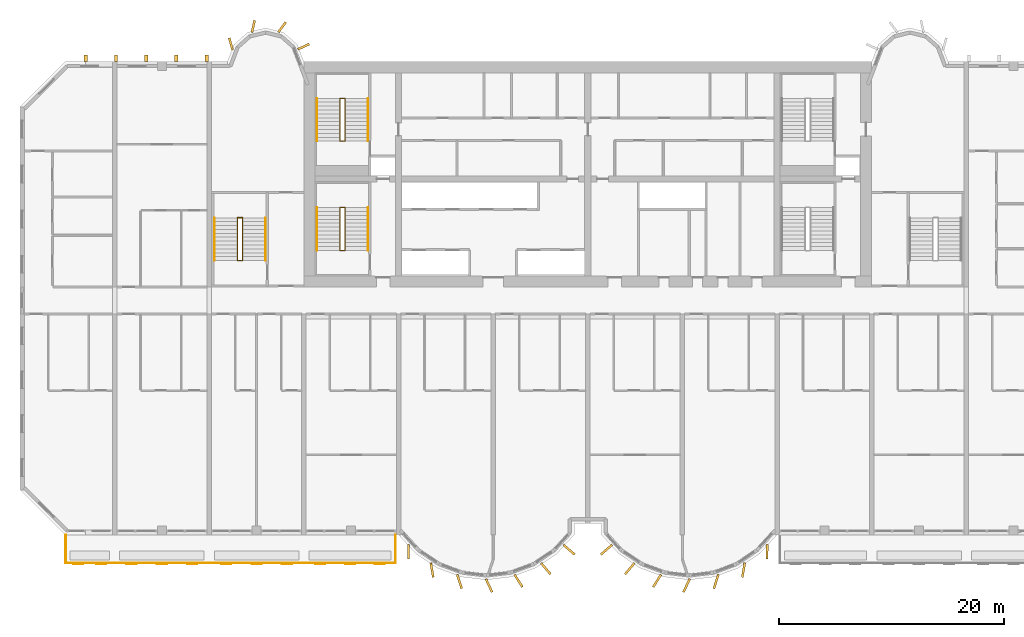
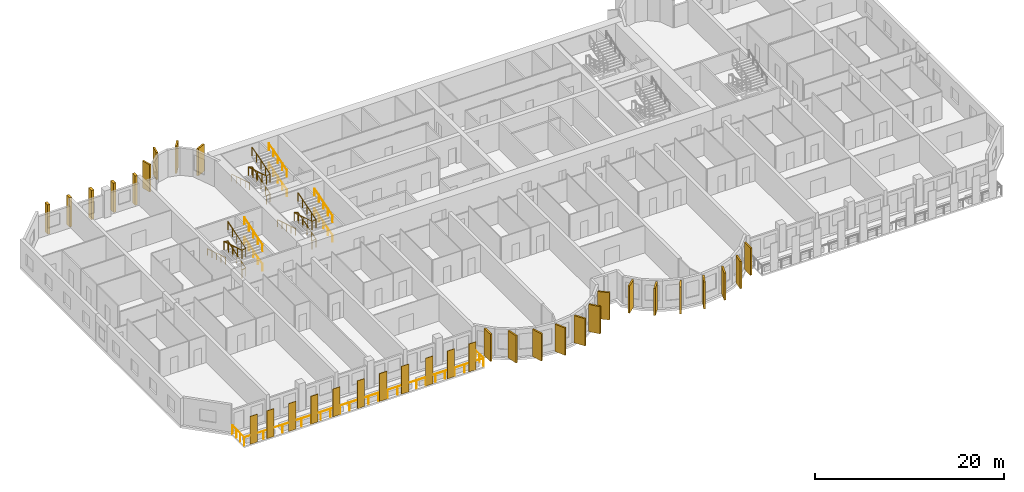
# One storey, part 13 of 15: 34 coverings, 13 railings.
"""IFC4 building model written with IfcOpenShell, lengths in metres."""

from ifc_helpers import new_model, si_unit, direction, frame, origin, origin_2d, place, context, subcontext, project, spatial, rectangle, circle, extrude, source, transform, mapped, material, layer, layer_set, material_profile, profile_set, type_object, element, save


model = new_model("IFC4")

# Units and contexts
model_context = context("Model", 3, precision=1e-05, world=origin(), true_north=direction((0.0, 1.0)))
body_context = subcontext(model_context, "Body", "Model", "MODEL_VIEW")
ifc_project = project(units=[si_unit("LENGTHUNIT", "METRE"), si_unit("AREAUNIT", "SQUARE_METRE"), si_unit("VOLUMEUNIT", "CUBIC_METRE"), si_unit("PLANEANGLEUNIT", "RADIAN"), si_unit("MASSUNIT", "GRAM", prefix="KILO")], contexts=[model_context])

# Site, building, storey
site_placement = place(None, origin())
site = spatial("IfcSite", under=ifc_project, at=site_placement, CompositionType="ELEMENT")
building_placement = place(site_placement, origin())
building = spatial("IfcBuilding", under=site, at=building_placement, Name="Vanashikhar Sky Hotel", CompositionType="ELEMENT")
storey_placement = place(building_placement, frame((0.0, 0.0, 65.800048828125)))
storey = spatial("IfcBuildingStorey", under=building, at=storey_placement, Name="L15", CompositionType="ELEMENT", Elevation=65.800048828125)

# Railing
ifc_material_1 = material(Name="Stainless steel 316", Category="steel")
railing_type_1 = type_object("IfcRailingType", Name="Balcony guard 1100", PredefinedType="GUARDRAIL", material=ifc_material_1)
shared_shape_1 = source(origin(), body_context, "Body", "SweptSolid", [
    extrude(circle(Radius=0.02392578125, at=origin_2d()), frame((0.0, 0.0, 1.076171875), z_axis=(0.0, -1.0, 0.0), x_axis=(1.0, 0.0, 0.0)), (0.0, 0.0, 1.0), 2.5),
    extrude(circle(Radius=0.02392578125, at=origin_2d()), frame((0.0, -2.5, 1.076171875), z_axis=(1.0, 0.0, 0.0), x_axis=(0.0, 1.0, 0.0)), (0.0, 0.0, 1.0), 29.280029296875),
    extrude(circle(Radius=0.02392578125, at=origin_2d()), frame((29.280029296875, -2.5, 1.076171875), z_axis=(0.0, 1.0, 0.0), x_axis=(-1.0, 0.0, 0.0)), (0.0, 0.0, 1.0), 2.5),
    extrude(circle(Radius=0.02099609375, at=origin_2d()), origin(), (0.0, 0.0, 1.0), 1.052001953125),
    extrude(circle(Radius=0.02099609375, at=origin_2d()), frame((0.0, -0.833251953125, 0.0)), (0.0, 0.0, 1.0), 1.052001953125),
    extrude(circle(Radius=0.02099609375, at=origin_2d()), frame((0.0, -1.666748046875, 0.0)), (0.0, 0.0, 1.0), 1.052001953125),
    extrude(circle(Radius=0.02099609375, at=origin_2d()), frame((0.0, -2.5, 0.0)), (0.0, 0.0, 1.0), 1.052001953125),
    extrude(circle(Radius=0.02099609375, at=origin_2d()), frame((1.171142578125, -2.5, 0.0)), (0.0, 0.0, 1.0), 1.052001953125),
    extrude(circle(Radius=0.02099609375, at=origin_2d()), frame((2.34228515625, -2.5, 0.0)), (0.0, 0.0, 1.0), 1.052001953125),
    extrude(circle(Radius=0.02099609375, at=origin_2d()), frame((3.513671875, -2.5, 0.0)), (0.0, 0.0, 1.0), 1.052001953125),
    extrude(circle(Radius=0.02099609375, at=origin_2d()), frame((4.684814453125, -2.5, 0.0)), (0.0, 0.0, 1.0), 1.052001953125),
    extrude(circle(Radius=0.02099609375, at=origin_2d()), frame((5.85595703125, -2.5, 0.0)), (0.0, 0.0, 1.0), 1.052001953125),
    extrude(circle(Radius=0.02099609375, at=origin_2d()), frame((7.027099609375, -2.5, 0.0)), (0.0, 0.0, 1.0), 1.052001953125),
    extrude(circle(Radius=0.02099609375, at=origin_2d()), frame((8.198486328125, -2.5, 0.0)), (0.0, 0.0, 1.0), 1.052001953125),
    extrude(circle(Radius=0.02099609375, at=origin_2d()), frame((9.36962890625, -2.5, 0.0)), (0.0, 0.0, 1.0), 1.052001953125),
    extrude(circle(Radius=0.02099609375, at=origin_2d()), frame((10.540771484375, -2.5, 0.0)), (0.0, 0.0, 1.0), 1.052001953125),
    extrude(circle(Radius=0.02099609375, at=origin_2d()), frame((11.7119140625, -2.5, 0.0)), (0.0, 0.0, 1.0), 1.052001953125),
    extrude(circle(Radius=0.02099609375, at=origin_2d()), frame((12.88330078125, -2.5, 0.0)), (0.0, 0.0, 1.0), 1.052001953125),
    extrude(circle(Radius=0.02099609375, at=origin_2d()), frame((14.054443359375, -2.5, 0.0)), (0.0, 0.0, 1.0), 1.052001953125),
    extrude(circle(Radius=0.02099609375, at=origin_2d()), frame((15.2255859375, -2.5, 0.0)), (0.0, 0.0, 1.0), 1.052001953125),
    extrude(circle(Radius=0.02099609375, at=origin_2d()), frame((16.396728515625, -2.5, 0.0)), (0.0, 0.0, 1.0), 1.052001953125),
    extrude(circle(Radius=0.02099609375, at=origin_2d()), frame((17.568115234375, -2.5, 0.0)), (0.0, 0.0, 1.0), 1.052001953125),
    extrude(circle(Radius=0.02099609375, at=origin_2d()), frame((18.7392578125, -2.5, 0.0)), (0.0, 0.0, 1.0), 1.052001953125),
    extrude(circle(Radius=0.02099609375, at=origin_2d()), frame((19.910400390625, -2.5, 0.0)), (0.0, 0.0, 1.0), 1.052001953125),
    extrude(circle(Radius=0.02099609375, at=origin_2d()), frame((21.08154296875, -2.5, 0.0)), (0.0, 0.0, 1.0), 1.052001953125),
    extrude(circle(Radius=0.02099609375, at=origin_2d()), frame((22.2529296875, -2.5, 0.0)), (0.0, 0.0, 1.0), 1.052001953125),
    extrude(circle(Radius=0.02099609375, at=origin_2d()), frame((23.424072265625, -2.5, 0.0)), (0.0, 0.0, 1.0), 1.052001953125),
    extrude(circle(Radius=0.02099609375, at=origin_2d()), frame((24.59521484375, -2.5, 0.0)), (0.0, 0.0, 1.0), 1.052001953125),
    extrude(circle(Radius=0.02099609375, at=origin_2d()), frame((25.766357421875, -2.5, 0.0)), (0.0, 0.0, 1.0), 1.052001953125),
    extrude(circle(Radius=0.02099609375, at=origin_2d()), frame((26.937744140625, -2.5, 0.0)), (0.0, 0.0, 1.0), 1.052001953125),
    extrude(circle(Radius=0.02099609375, at=origin_2d()), frame((28.10888671875, -2.5, 0.0)), (0.0, 0.0, 1.0), 1.052001953125),
    extrude(circle(Radius=0.02099609375, at=origin_2d()), frame((29.280029296875, -2.5, 0.0)), (0.0, 0.0, 1.0), 1.052001953125),
    extrude(circle(Radius=0.02099609375, at=origin_2d()), frame((29.280029296875, -1.666748046875, 0.0)), (0.0, 0.0, 1.0), 1.052001953125),
    extrude(circle(Radius=0.02099609375, at=origin_2d()), frame((29.280029296875, -0.833251953125, 0.0)), (0.0, 0.0, 1.0), 1.052001953125),
    extrude(circle(Radius=0.02099609375, at=origin_2d()), frame((29.280029296875, 0.0, 0.0)), (0.0, 0.0, 1.0), 1.052001953125),
])
railing_1_placement = place(storey_placement, frame((4.06005859375, 0.0, -0.050048828125)))
element("IfcRailing", 1, at=railing_1_placement, inside=storey, type_object=railing_type_1, Name="Balcony guard", PredefinedType="GUARDRAIL", context=body_context, shape_type="MappedRepresentation", body=[
    mapped(shared_shape_1, transform((0.0, 0.0, 0.0), scale=1.0)),
])

# Coverings
ifc_material_2 = material(Name="Terracotta", Category="masonry")
ifc_layer = layer(ifc_material_2, 0.06005859375)
ifc_layer_set = layer_set([ifc_layer], Name="Terracotta baguette screen")
covering_type_1 = type_object("IfcCoveringType", Name="Terracotta baguette screen", PredefinedType="CLADDING", material=ifc_layer_set)
shared_shape_2 = source(origin(), body_context, "Body", "SweptSolid", [
    extrude(rectangle(XDim=0.89990234375, YDim=0.06005859375, at=origin_2d()), origin(), (0.0, 0.0, 1.0), 3.60009765625),
])
for number, where, z_axis, x_axis, name in (
    (2, (5.175048828125, -2.570068359375, -0.050048828125), (0.0, 0.0, 1.0), (1.0, 0.0, 0.0), "Terracotta screen"),
    (3, (7.22509765625, -2.570068359375, -0.050048828125), (0.0, 0.0, 1.0), (1.0, 0.0, 0.0), "Terracotta screen"),
    (4, (9.89990234375, -2.570068359375, -0.050048828125), (0.0, 0.0, 1.0), (1.0, 0.0, 0.0), "Terracotta screen"),
    (5, (12.60009765625, -2.570068359375, -0.050048828125), (0.0, 0.0, 1.0), (1.0, 0.0, 0.0), "Terracotta screen"),
    (6, (15.300048828125, -2.570068359375, -0.050048828125), (0.0, 0.0, 1.0), (1.0, 0.0, 0.0), "Terracotta screen"),
    (7, (18.300048828125, -2.570068359375, -0.050048828125), (0.0, 0.0, 1.0), (1.0, 0.0, 0.0), "Terracotta screen"),
    (8, (21.0, -2.570068359375, -0.050048828125), (0.0, 0.0, 1.0), (1.0, 0.0, 0.0), "Terracotta screen"),
    (9, (23.699951171875, -2.570068359375, -0.050048828125), (0.0, 0.0, 1.0), (1.0, 0.0, 0.0), "Terracotta screen"),
    (10, (26.666748046875, -2.570068359375, -0.050048828125), (0.0, 0.0, 1.0), (1.0, 0.0, 0.0), "Terracotta screen"),
    (11, (29.300048828125, -2.570068359375, -0.050048828125), (0.0, 0.0, 1.0), (1.0, 0.0, 0.0), "Terracotta screen"),
    (12, (31.933349609375, -2.570068359375, -0.050048828125), (0.0, 0.0, 1.0), (1.0, 0.0, 0.0), "Terracotta screen"),
):
    element("IfcCovering", number, at=place(storey_placement, frame(where, z_axis=z_axis, x_axis=x_axis)), inside=storey, type_object=covering_type_1, Name=name, PredefinedType="CLADDING", context=body_context, shape_type="MappedRepresentation", body=[
        mapped(shared_shape_2, transform((0.0, 0.0, 0.0), scale=1.0)),
    ])
ifc_material_3 = material(Name="Concrete M60 dark", Category="concrete")
ifc_material_profile_1 = material_profile(ifc_material_3, rectangle(XDim=1.300048828125, YDim=0.199951171875, at=origin_2d()))
ifc_profile_set_1 = profile_set([ifc_material_profile_1], Name="Fin 1300 x 200")
covering_type_2 = type_object("IfcCoveringType", Name="Fin 1300 x 200", PredefinedType="CLADDING", material=ifc_profile_set_1)
shared_shape_3 = source(origin(), body_context, "Body", "SweptSolid", [
    extrude(rectangle(XDim=1.300048828125, YDim=0.199951171875, at=origin_2d()), origin(), (0.0, 0.0, 1.0), 3.52001953125),
])
for number, where, z_axis, x_axis, name in (
    (13, (34.482421875, -1.507080078125, 0.0), (0.0, 0.0, 1.0), (0.011588726826, -0.999932848451, 0.0), "Fin F1-1"),
    (14, (36.572509765625, -3.1220703125, 0.0), (0.0, 0.0, 1.0), (0.16989991575, -0.985461322746, 0.0), "Fin F1-2"),
    (15, (39.00830078125, -4.14306640625, 0.0), (0.0, 0.0, 1.0), (0.303966551867, -0.952682704444, 0.0), "Fin F1-3"),
    (16, (41.63232421875, -4.49853515625, 0.0), (0.0, 0.0, 1.0), (0.422618261741, -0.906307787037, 0.0), "Fin F1-4"),
    (17, (44.251953125, -4.083984375, 0.0), (0.0, 0.0, 1.0), (0.534411358496, -0.845224526331, 0.0), "Fin F1-5"),
    (18, (46.676025390625, -3.0, 0.0), (0.0, 0.0, 1.0), (0.645697609467, -0.763593214433, 0.0), "Fin F1-6"),
    (19, (48.7412109375, -1.3154296875, 0.0), (0.0, 0.0, 1.0), (0.758543912032, -0.65162192529, 0.0), "Fin F1-7"),
    (20, (52.058837890625, -1.3154296875, 0.0), (0.0, 0.0, 1.0), (-0.758543912032, -0.65162192529, 0.0), "Fin F2-1"),
    (21, (54.123779296875, -3.0, 0.0), (0.0, 0.0, 1.0), (-0.645697609467, -0.763593214433, 0.0), "Fin F2-2"),
    (22, (56.547119140625, -4.083984375, 0.0), (0.0, 0.0, 1.0), (-0.534411358496, -0.845224526331, 0.0), "Fin F2-3"),
    (23, (59.16748046875, -4.49853515625, 0.0), (0.0, 0.0, 1.0), (-0.422618261741, -0.906307787037, 0.0), "Fin F2-4"),
    (24, (61.790771484375, -4.14306640625, 0.0), (0.0, 0.0, 1.0), (-0.303966551867, -0.952682704444, 0.0), "Fin F2-5"),
    (25, (64.2275390625, -3.1220703125, 0.0), (0.0, 0.0, 1.0), (-0.16989991575, -0.985461322746, 0.0), "Fin F2-6"),
    (26, (66.317626953125, -1.507080078125, 0.0), (0.0, 0.0, 1.0), (-0.011588726826, -0.999932848451, 0.0), "Fin F2-7"),
):
    element("IfcCovering", number, at=place(storey_placement, frame(where, z_axis=z_axis, x_axis=x_axis)), inside=storey, type_object=covering_type_2, Name=name, PredefinedType="CLADDING", context=body_context, shape_type="MappedRepresentation", body=[
        mapped(shared_shape_3, transform((0.0, 0.0, 0.0), scale=1.0)),
    ])
ifc_material_profile_2 = material_profile(ifc_material_3, rectangle(XDim=1.10009765625, YDim=0.199951171875, at=origin_2d()))
ifc_profile_set_2 = profile_set([ifc_material_profile_2], Name="Rear lobe fin 1100 x 200")
covering_type_3 = type_object("IfcCoveringType", Name="Rear lobe fin 1100 x 200", PredefinedType="CLADDING", material=ifc_profile_set_2)
shared_shape_4 = source(origin(), body_context, "Body", "SweptSolid", [
    extrude(rectangle(XDim=1.10009765625, YDim=0.199951171875, at=origin_2d()), origin(), (0.0, 0.0, 1.0), 3.52001953125),
])
for number, where, z_axis, x_axis, name in (
    (27, (18.720703125, 43.580078125, 0.0), (0.0, 0.0, 1.0), (-0.262711264409, 0.964874495234, 0.0), "Fin R1-1"),
    (28, (20.710205078125, 45.1455078125, 0.0), (0.0, 0.0, 1.0), (0.224644935864, 0.974440687159, 0.0), "Fin R1-2"),
    (29, (23.261962890625, 45.06640625, 0.0), (0.0, 0.0, 1.0), (0.602065892195, 0.798446404874, 0.0), "Fin R1-3"),
    (30, (25.169677734375, 43.33447265625, 0.0), (0.0, 0.0, 1.0), (0.908004291068, 0.418960866193, 0.0), "Fin R1-4"),
):
    element("IfcCovering", number, at=place(storey_placement, frame(where, z_axis=z_axis, x_axis=x_axis)), inside=storey, type_object=covering_type_3, Name=name, PredefinedType="CLADDING", context=body_context, shape_type="MappedRepresentation", body=[
        mapped(shared_shape_4, transform((0.0, 0.0, 0.0), scale=1.0)),
    ])
ifc_material_profile_3 = material_profile(ifc_material_3, rectangle(XDim=0.60009765625, YDim=0.300048828125, at=origin_2d()))
ifc_profile_set_3 = profile_set([ifc_material_profile_3], Name="Rear rib 600 x 300")
covering_type_4 = type_object("IfcCoveringType", Name="Rear rib 600 x 300", PredefinedType="CLADDING", material=ifc_profile_set_3)
shared_shape_5 = source(origin(), body_context, "Body", "SweptSolid", [
    extrude(rectangle(XDim=0.60009765625, YDim=0.300048828125, at=origin_2d()), origin(), (0.0, 0.0, 1.0), 3.800048828125),
])
for number, where, z_axis, x_axis, name in (
    (31, (5.840087890625, 42.300048828125, -0.280029296875), (0.0, 0.0, 1.0), (0.0, 1.0, 0.0), "Rear rib"),
    (32, (8.52001953125, 42.300048828125, -0.280029296875), (0.0, 0.0, 1.0), (0.0, 1.0, 0.0), "Rear rib"),
    (33, (11.199951171875, 42.300048828125, -0.280029296875), (0.0, 0.0, 1.0), (0.0, 1.0, 0.0), "Rear rib"),
    (34, (13.8798828125, 42.300048828125, -0.280029296875), (0.0, 0.0, 1.0), (0.0, 1.0, 0.0), "Rear rib"),
    (35, (16.56005859375, 42.300048828125, -0.280029296875), (0.0, 0.0, 1.0), (0.0, 1.0, 0.0), "Rear rib"),
):
    element("IfcCovering", number, at=place(storey_placement, frame(where, z_axis=z_axis, x_axis=x_axis)), inside=storey, type_object=covering_type_4, Name=name, PredefinedType="CLADDING", context=body_context, shape_type="MappedRepresentation", body=[
        mapped(shared_shape_5, transform((0.0, 0.0, 0.0), scale=1.0)),
    ])

# Railings
ifc_material_4 = material(Name="Steel S355", Category="steel")
railing_type_2 = type_object("IfcRailingType", Name="Stair guard 1100", PredefinedType="GUARDRAIL", material=ifc_material_4)
shared_shape_6 = source(origin(), body_context, "Body", "SweptSolid", [
    extrude(circle(Radius=0.02392578125, at=origin_2d()), frame((0.0, 0.0, 1.076171875), z_axis=(0.973638301096, 0.0, 0.228097476179), x_axis=(0.0, 1.0, 0.0)), (0.0, 0.0, 1.0), 0.46240234375),
    extrude(circle(Radius=0.02392578125, at=origin_2d()), frame((0.4501953125, 0.0, 1.181640625), z_axis=(0.0, 0.95635109408, 0.292220096591), x_axis=(-1.0, 0.0, 0.0)), (0.0, 0.0, 1.0), 3.973388671875),
    extrude(circle(Radius=0.02392578125, at=origin_2d()), frame((0.4501953125, 3.800048828125, 2.3427734375), z_axis=(-0.973638301096, 0.0, 0.228097476179), x_axis=(0.0, -1.0, 0.0)), (0.0, 0.0, 1.0), 0.46240234375),
    extrude(circle(Radius=0.02392578125, at=origin_2d()), frame((0.0, 3.800048828125, 2.4482421875), z_axis=(0.0, -0.95635109408, 0.292220096591), x_axis=(1.0, 0.0, 0.0)), (0.0, 0.0, 1.0), 3.973388671875),
    extrude(circle(Radius=0.02392578125, at=origin_2d()), frame((0.0, 0.0, 3.609375), z_axis=(0.973520925263, 0.0, 0.228597917917), x_axis=(0.0, 1.0, 0.0)), (0.0, 0.0, 1.0), 0.46240234375),
    extrude(circle(Radius=0.02392578125, at=origin_2d()), frame((0.4501953125, 0.0, 3.71484375), z_axis=(0.0, 0.95635109408, 0.292220096591), x_axis=(-1.0, 0.0, 0.0)), (0.0, 0.0, 1.0), 3.973388671875),
    extrude(circle(Radius=0.02099609375, at=origin_2d()), origin(), (0.0, 0.0, 1.0), 1.052001953125),
    extrude(circle(Radius=0.02099609375, at=origin_2d()), frame((0.4501953125, 0.0, 0.10546875)), (0.0, 0.0, 1.0), 1.052001953125),
    extrude(circle(Radius=0.02099609375, at=origin_2d()), frame((0.4501953125, 0.949951171875, 0.395751953125)), (0.0, 0.0, 1.0), 1.052001953125),
    extrude(circle(Radius=0.02099609375, at=origin_2d()), frame((0.4501953125, 1.89990234375, 0.68603515625)), (0.0, 0.0, 1.0), 1.052001953125),
    extrude(circle(Radius=0.02099609375, at=origin_2d()), frame((0.4501953125, 2.85009765625, 0.976318359375)), (0.0, 0.0, 1.0), 1.052001953125),
    extrude(circle(Radius=0.02099609375, at=origin_2d()), frame((0.4501953125, 3.800048828125, 1.2666015625)), (0.0, 0.0, 1.0), 1.052001953125),
    extrude(circle(Radius=0.02099609375, at=origin_2d()), frame((0.0, 3.800048828125, 1.3720703125)), (0.0, 0.0, 1.0), 1.052001953125),
    extrude(circle(Radius=0.02099609375, at=origin_2d()), frame((0.0, 2.85009765625, 1.662353515625)), (0.0, 0.0, 1.0), 1.052001953125),
    extrude(circle(Radius=0.02099609375, at=origin_2d()), frame((0.0, 1.89990234375, 1.95263671875)), (0.0, 0.0, 1.0), 1.052001953125),
    extrude(circle(Radius=0.02099609375, at=origin_2d()), frame((0.0, 0.949951171875, 2.242919921875)), (0.0, 0.0, 1.0), 1.052001953125),
    extrude(circle(Radius=0.02099609375, at=origin_2d()), frame((0.0, 0.0, 2.533203125)), (0.0, 0.0, 1.0), 1.052001953125),
    extrude(circle(Radius=0.02099609375, at=origin_2d()), frame((0.4501953125, 0.0, 2.638916015625)), (0.0, 0.0, 1.0), 1.052001953125),
    extrude(circle(Radius=0.02099609375, at=origin_2d()), frame((0.4501953125, 0.949951171875, 2.92919921875)), (0.0, 0.0, 1.0), 1.052001953125),
    extrude(circle(Radius=0.02099609375, at=origin_2d()), frame((0.4501953125, 1.89990234375, 3.219482421875)), (0.0, 0.0, 1.0), 1.052001953125),
    extrude(circle(Radius=0.02099609375, at=origin_2d()), frame((0.4501953125, 2.85009765625, 3.509765625)), (0.0, 0.0, 1.0), 1.052001953125),
    extrude(circle(Radius=0.02099609375, at=origin_2d()), frame((0.4501953125, 3.800048828125, 3.800048828125)), (0.0, 0.0, 1.0), 1.052001953125),
])
for number, where, name in (
    (36, (28.39990234375, 25.25, 0.0), "Exit stair 1 guard"),
    (37, (28.39990234375, 34.949951171875, 0.0), "Exit stair 5 guard"),
):
    element("IfcRailing", number, at=place(storey_placement, frame(where)), inside=storey, type_object=railing_type_2, Name=name, PredefinedType="GUARDRAIL", context=body_context, shape_type="MappedRepresentation", body=[
        mapped(shared_shape_6, transform((0.0, 0.0, 0.0), scale=1.0)),
    ])
railing_type_3 = type_object("IfcRailingType", Name="Stair handrail 900", PredefinedType="HANDRAIL", material=ifc_material_4)
shared_shape_7 = source(origin(), body_context, "Body", "SweptSolid", [
    extrude(circle(Radius=0.02392578125, at=origin_2d()), frame((0.0, 0.0, 0.8759765625), z_axis=(0.0, 0.95635109408, 0.292220096591), x_axis=(-1.0, 0.0, 0.0)), (0.0, 0.0, 1.0), 3.973388671875),
    extrude(circle(Radius=0.02099609375, at=origin_2d()), origin(), (0.0, 0.0, 1.0), 0.851806640625),
    extrude(circle(Radius=0.02099609375, at=origin_2d()), frame((0.0, 0.949951171875, 0.290283203125)), (0.0, 0.0, 1.0), 0.851806640625),
    extrude(circle(Radius=0.02099609375, at=origin_2d()), frame((0.0, 1.89990234375, 0.58056640625)), (0.0, 0.0, 1.0), 0.851806640625),
    extrude(circle(Radius=0.02099609375, at=origin_2d()), frame((0.0, 2.85009765625, 0.870849609375)), (0.0, 0.0, 1.0), 0.851806640625),
    extrude(circle(Radius=0.02099609375, at=origin_2d()), frame((0.0, 3.800048828125, 1.1611328125)), (0.0, 0.0, 1.0), 0.851806640625),
])
for number, where, name in (
    (38, (30.89990234375, 25.25, 0.10546875), "Exit stair 1 handrail"),
    (39, (30.89990234375, 25.25, 2.638916015625), "Exit stair 1 handrail"),
    (40, (30.89990234375, 34.949951171875, 0.10546875), "Exit stair 5 handrail"),
    (41, (30.89990234375, 34.949951171875, 2.638916015625), "Exit stair 5 handrail"),
):
    element("IfcRailing", number, at=place(storey_placement, frame(where)), inside=storey, type_object=railing_type_3, Name=name, PredefinedType="HANDRAIL", context=body_context, shape_type="MappedRepresentation", body=[
        mapped(shared_shape_7, transform((0.0, 0.0, 0.0), scale=1.0)),
    ])
shared_shape_8 = source(origin(), body_context, "Body", "SweptSolid", [
    extrude(circle(Radius=0.02392578125, at=origin_2d()), frame((0.0, 0.0, 0.8759765625), z_axis=(0.0, -0.95635109408, 0.292220096591), x_axis=(1.0, 0.0, 0.0)), (0.0, 0.0, 1.0), 3.973388671875),
    extrude(circle(Radius=0.02099609375, at=origin_2d()), origin(), (0.0, 0.0, 1.0), 0.851806640625),
    extrude(circle(Radius=0.02099609375, at=origin_2d()), frame((0.0, -0.949951171875, 0.290283203125)), (0.0, 0.0, 1.0), 0.851806640625),
    extrude(circle(Radius=0.02099609375, at=origin_2d()), frame((0.0, -1.89990234375, 0.58056640625)), (0.0, 0.0, 1.0), 0.851806640625),
    extrude(circle(Radius=0.02099609375, at=origin_2d()), frame((0.0, -2.85009765625, 0.870849609375)), (0.0, 0.0, 1.0), 0.851806640625),
    extrude(circle(Radius=0.02099609375, at=origin_2d()), frame((0.0, -3.800048828125, 1.1611328125)), (0.0, 0.0, 1.0), 0.851806640625),
])
for number, where, name in (
    (42, (26.35009765625, 29.050048828125, 1.3720703125), "Exit stair 1 handrail"),
    (43, (26.35009765625, 38.75, 1.3720703125), "Exit stair 5 handrail"),
):
    element("IfcRailing", number, at=place(storey_placement, frame(where)), inside=storey, type_object=railing_type_3, Name=name, PredefinedType="HANDRAIL", context=body_context, shape_type="MappedRepresentation", body=[
        mapped(shared_shape_8, transform((0.0, 0.0, 0.0), scale=1.0)),
    ])
shared_shape_9 = source(origin(), body_context, "Body", "SweptSolid", [
    extrude(circle(Radius=0.02392578125, at=origin_2d()), frame((0.0, 0.0, 1.076171875), z_axis=(0.973610808694, 0.0, 0.228214796178), x_axis=(0.0, 1.0, 0.0)), (0.0, 0.0, 1.0), 0.462158203125),
    extrude(circle(Radius=0.02392578125, at=origin_2d()), frame((0.449951171875, 0.0, 1.181640625), z_axis=(0.0, 0.956345846891, 0.292237268557), x_axis=(-1.0, 0.0, 0.0)), (0.0, 0.0, 1.0), 3.97314453125),
    extrude(circle(Radius=0.02392578125, at=origin_2d()), frame((0.449951171875, 3.7998046875, 2.3427734375), z_axis=(-0.973610808694, 0.0, 0.228214796178), x_axis=(0.0, -1.0, 0.0)), (0.0, 0.0, 1.0), 0.462158203125),
    extrude(circle(Radius=0.02392578125, at=origin_2d()), frame((0.0, 3.7998046875, 2.4482421875), z_axis=(0.0, -0.956345846891, 0.292237268557), x_axis=(1.0, 0.0, 0.0)), (0.0, 0.0, 1.0), 3.97314453125),
    extrude(circle(Radius=0.02392578125, at=origin_2d()), frame((0.0, 0.0, 3.609375), z_axis=(0.973493315427, 0.0, 0.228715466945), x_axis=(0.0, 1.0, 0.0)), (0.0, 0.0, 1.0), 0.462158203125),
    extrude(circle(Radius=0.02392578125, at=origin_2d()), frame((0.449951171875, 0.0, 3.71484375), z_axis=(0.0, 0.956345846891, 0.292237268557), x_axis=(-1.0, 0.0, 0.0)), (0.0, 0.0, 1.0), 3.97314453125),
    extrude(circle(Radius=0.02099609375, at=origin_2d()), origin(), (0.0, 0.0, 1.0), 1.052001953125),
    extrude(circle(Radius=0.02099609375, at=origin_2d()), frame((0.449951171875, 0.0, 0.10546875)), (0.0, 0.0, 1.0), 1.052001953125),
    extrude(circle(Radius=0.02099609375, at=origin_2d()), frame((0.449951171875, 0.949951171875, 0.395751953125)), (0.0, 0.0, 1.0), 1.052001953125),
    extrude(circle(Radius=0.02099609375, at=origin_2d()), frame((0.449951171875, 1.89990234375, 0.68603515625)), (0.0, 0.0, 1.0), 1.052001953125),
    extrude(circle(Radius=0.02099609375, at=origin_2d()), frame((0.449951171875, 2.849853515625, 0.976318359375)), (0.0, 0.0, 1.0), 1.052001953125),
    extrude(circle(Radius=0.02099609375, at=origin_2d()), frame((0.449951171875, 3.7998046875, 1.2666015625)), (0.0, 0.0, 1.0), 1.052001953125),
    extrude(circle(Radius=0.02099609375, at=origin_2d()), frame((0.0, 3.7998046875, 1.3720703125)), (0.0, 0.0, 1.0), 1.052001953125),
    extrude(circle(Radius=0.02099609375, at=origin_2d()), frame((0.0, 2.849853515625, 1.662353515625)), (0.0, 0.0, 1.0), 1.052001953125),
    extrude(circle(Radius=0.02099609375, at=origin_2d()), frame((0.0, 1.89990234375, 1.95263671875)), (0.0, 0.0, 1.0), 1.052001953125),
    extrude(circle(Radius=0.02099609375, at=origin_2d()), frame((0.0, 0.949951171875, 2.242919921875)), (0.0, 0.0, 1.0), 1.052001953125),
    extrude(circle(Radius=0.02099609375, at=origin_2d()), frame((0.0, 0.0, 2.533203125)), (0.0, 0.0, 1.0), 1.052001953125),
    extrude(circle(Radius=0.02099609375, at=origin_2d()), frame((0.449951171875, 0.0, 2.638916015625)), (0.0, 0.0, 1.0), 1.052001953125),
    extrude(circle(Radius=0.02099609375, at=origin_2d()), frame((0.449951171875, 0.949951171875, 2.92919921875)), (0.0, 0.0, 1.0), 1.052001953125),
    extrude(circle(Radius=0.02099609375, at=origin_2d()), frame((0.449951171875, 1.89990234375, 3.219482421875)), (0.0, 0.0, 1.0), 1.052001953125),
    extrude(circle(Radius=0.02099609375, at=origin_2d()), frame((0.449951171875, 2.849853515625, 3.509765625)), (0.0, 0.0, 1.0), 1.052001953125),
    extrude(circle(Radius=0.02099609375, at=origin_2d()), frame((0.449951171875, 3.7998046875, 3.800048828125)), (0.0, 0.0, 1.0), 1.052001953125),
])
railing_2_placement = place(storey_placement, frame((19.300048828125, 24.35009765625, 0.0)))
element("IfcRailing", 44, at=railing_2_placement, inside=storey, type_object=railing_type_2, Name="Exit stair 3 guard", PredefinedType="GUARDRAIL", context=body_context, shape_type="MappedRepresentation", body=[
    mapped(shared_shape_9, transform((0.0, 0.0, 0.0), scale=1.0)),
])
shared_shape_10 = source(origin(), body_context, "Body", "SweptSolid", [
    extrude(circle(Radius=0.02392578125, at=origin_2d()), frame((0.0, 0.0, 0.8759765625), z_axis=(0.0, 0.956345846891, 0.292237268557), x_axis=(-1.0, 0.0, 0.0)), (0.0, 0.0, 1.0), 3.97314453125),
    extrude(circle(Radius=0.02099609375, at=origin_2d()), origin(), (0.0, 0.0, 1.0), 0.851806640625),
    extrude(circle(Radius=0.02099609375, at=origin_2d()), frame((0.0, 0.949951171875, 0.290283203125)), (0.0, 0.0, 1.0), 0.851806640625),
    extrude(circle(Radius=0.02099609375, at=origin_2d()), frame((0.0, 1.89990234375, 0.58056640625)), (0.0, 0.0, 1.0), 0.851806640625),
    extrude(circle(Radius=0.02099609375, at=origin_2d()), frame((0.0, 2.849853515625, 0.870849609375)), (0.0, 0.0, 1.0), 0.851806640625),
    extrude(circle(Radius=0.02099609375, at=origin_2d()), frame((0.0, 3.7998046875, 1.1611328125)), (0.0, 0.0, 1.0), 0.851806640625),
])
for number, where, name in (
    (45, (21.800048828125, 24.35009765625, 0.10546875), "Exit stair 3 handrail"),
    (46, (21.800048828125, 24.35009765625, 2.638916015625), "Exit stair 3 handrail"),
):
    element("IfcRailing", number, at=place(storey_placement, frame(where)), inside=storey, type_object=railing_type_3, Name=name, PredefinedType="HANDRAIL", context=body_context, shape_type="MappedRepresentation", body=[
        mapped(shared_shape_10, transform((0.0, 0.0, 0.0), scale=1.0)),
    ])
shared_shape_11 = source(origin(), body_context, "Body", "SweptSolid", [
    extrude(circle(Radius=0.02392578125, at=origin_2d()), frame((0.0, 0.0, 0.8759765625), z_axis=(0.0, -0.956345846891, 0.292237268557), x_axis=(1.0, 0.0, 0.0)), (0.0, 0.0, 1.0), 3.97314453125),
    extrude(circle(Radius=0.02099609375, at=origin_2d()), origin(), (0.0, 0.0, 1.0), 0.851806640625),
    extrude(circle(Radius=0.02099609375, at=origin_2d()), frame((0.0, -0.949951171875, 0.290283203125)), (0.0, 0.0, 1.0), 0.851806640625),
    extrude(circle(Radius=0.02099609375, at=origin_2d()), frame((0.0, -1.89990234375, 0.58056640625)), (0.0, 0.0, 1.0), 0.851806640625),
    extrude(circle(Radius=0.02099609375, at=origin_2d()), frame((0.0, -2.849853515625, 0.870849609375)), (0.0, 0.0, 1.0), 0.851806640625),
    extrude(circle(Radius=0.02099609375, at=origin_2d()), frame((0.0, -3.7998046875, 1.1611328125)), (0.0, 0.0, 1.0), 0.851806640625),
])
railing_3_placement = place(storey_placement, frame((17.25, 28.14990234375, 1.3720703125)))
element("IfcRailing", 47, at=railing_3_placement, inside=storey, type_object=railing_type_3, Name="Exit stair 3 handrail", PredefinedType="HANDRAIL", context=body_context, shape_type="MappedRepresentation", body=[
    mapped(shared_shape_11, transform((0.0, 0.0, 0.0), scale=1.0)),
])

save(model, "model.ifc")
